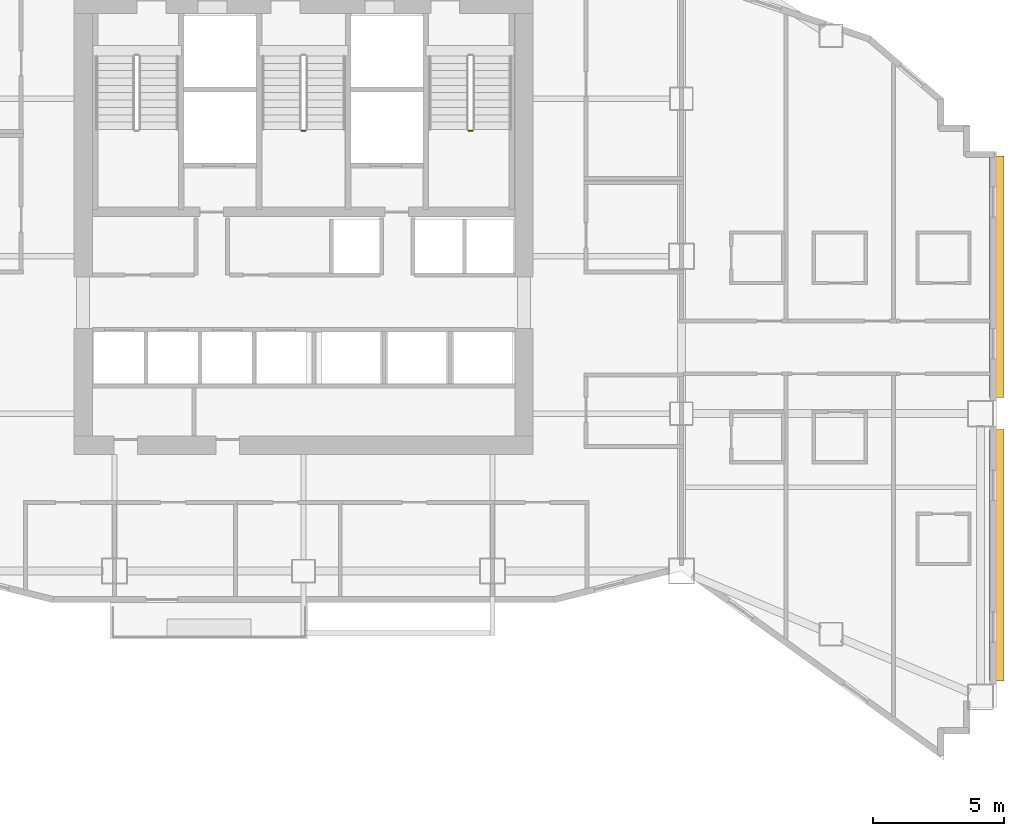
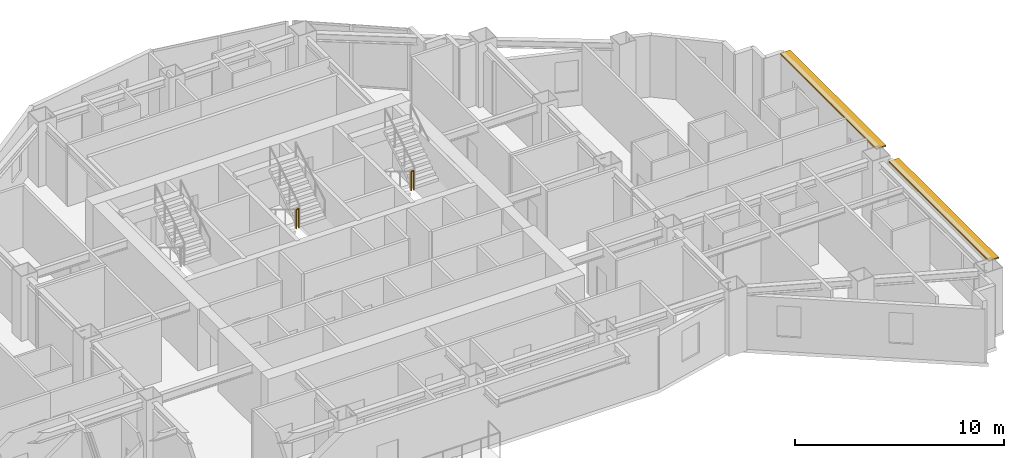
# One storey, part 15 of 16: 2 railings, 2 shading devices.
"""IFC4 building model written with IfcOpenShell, lengths in metres."""

from ifc_helpers import new_model, si_unit, direction, frame, origin, origin_2d, place, context, subcontext, project, spatial, rectangle, circle, extrude, material, layer, layer_set, type_object, element, save


model = new_model("IFC4")

# Units and contexts
model_context = context("Model", 3, precision=1e-05, world=origin(), true_north=direction((0.0, 1.0)))
body_context = subcontext(model_context, "Body", "Model", "MODEL_VIEW")
ifc_project = project(units=[si_unit("LENGTHUNIT", "METRE"), si_unit("AREAUNIT", "SQUARE_METRE"), si_unit("VOLUMEUNIT", "CUBIC_METRE"), si_unit("PLANEANGLEUNIT", "RADIAN"), si_unit("MASSUNIT", "GRAM", prefix="KILO")], contexts=[model_context])

# Site, building, storey
site_placement = place(None, origin())
site = spatial("IfcSite", under=ifc_project, at=site_placement, CompositionType="ELEMENT")
building_placement = place(site_placement, origin())
building = spatial("IfcBuilding", under=site, at=building_placement, Name="Haolan Belvedere Tower", CompositionType="ELEMENT")
storey_placement = place(building_placement, frame((0.0, 0.0, 125.0)))
storey = spatial("IfcBuildingStorey", under=building, at=storey_placement, Name="L31", CompositionType="ELEMENT", Elevation=125.0)

# Railings
ifc_material_1 = material(Name="Brushed stainless steel 304", Category="steel")
railing_type = type_object("IfcRailingType", Name="RL-STAIR-GRD-1150", PredefinedType="GUARDRAIL", material=ifc_material_1)
railing_1_placement = place(storey_placement, frame((38.330078125, 38.3798828125, 1.89990234375)))
element("IfcRailing", 1, at=railing_1_placement, inside=storey, type_object=railing_type, Name="L31 ST3 stair guard 2", PredefinedType="GUARDRAIL", context=body_context, shape_type="SweptSolid", body=[
    extrude(circle(Radius=0.02392578125, at=origin_2d()), frame((0.0, 0.0, 1.1259765625), z_axis=(1.0, 0.0, 0.0), x_axis=(0.0, 1.0, 0.0)), (0.0, 0.0, 1.0), 0.139892578125),
    extrude(circle(Radius=0.02099609375, at=origin_2d()), origin(), (0.0, 0.0, 1.0), 1.101806640625),
    extrude(circle(Radius=0.02099609375, at=origin_2d()), frame((0.139892578125, 0.0, 0.0)), (0.0, 0.0, 1.0), 1.101806640625),
])
railing_2_placement = place(storey_placement, frame((44.68994140625, 38.3798828125, 1.89990234375)))
element("IfcRailing", 2, at=railing_2_placement, inside=storey, type_object=railing_type, Name="L31 ST2 stair guard 2", PredefinedType="GUARDRAIL", context=body_context, shape_type="SweptSolid", body=[
    extrude(circle(Radius=0.02392578125, at=origin_2d()), frame((0.0, 0.0, 1.1259765625), z_axis=(1.0, 0.0, 0.0), x_axis=(0.0, 1.0, 0.0)), (0.0, 0.0, 1.0), 0.14013671875),
    extrude(circle(Radius=0.02099609375, at=origin_2d()), origin(), (0.0, 0.0, 1.0), 1.101806640625),
    extrude(circle(Radius=0.02099609375, at=origin_2d()), frame((0.14013671875, 0.0, 0.0)), (0.0, 0.0, 1.0), 1.101806640625),
])

# Shading devices
ifc_material_2 = material(Name="Anodised champagne-silver aluminium 6063-T6", Category="aluminium")
ifc_layer = layer(ifc_material_2, 0.080078125, Name="Anodised champagne-silver aluminium 6063-T6")
ifc_layer_set = layer_set([ifc_layer], Name="Anodised champagne-silver aluminium 6063-T6")
shading_device_type = type_object("IfcShadingDeviceType", Name="SHD-SUN-550", PredefinedType="USERDEFINED", material=ifc_layer_set)
shading_device_1_placement = place(storey_placement, frame((64.820068359375, 22.199951171875, 3.5), z_axis=(0.0, 0.0, 1.0), x_axis=(0.0, 1.0, 0.0)))
element("IfcShadingDevice", 3, at=shading_device_1_placement, inside=storey, type_object=shading_device_type, Name="L31 pale-metal horizontal SUNSHADE band 14.1", ObjectType="SUNSHADE", PredefinedType="USERDEFINED", context=body_context, shape_type="SweptSolid", body=[
    extrude(rectangle(XDim=9.575927734375, YDim=0.550048828125, at=origin_2d()), origin(), (0.0, 0.0, 1.0), 0.080078125),
])
shading_device_2_placement = place(storey_placement, frame((64.820068359375, 32.8134765625, 3.5), z_axis=(0.0, 0.0, 1.0), x_axis=(0.0, 1.0, 0.0)))
element("IfcShadingDevice", 4, at=shading_device_2_placement, inside=storey, type_object=shading_device_type, Name="L31 pale-metal horizontal SUNSHADE band 14.2", ObjectType="SUNSHADE", PredefinedType="USERDEFINED", context=body_context, shape_type="SweptSolid", body=[
    extrude(rectangle(XDim=9.202880859375, YDim=0.550048828125, at=origin_2d()), origin(), (0.0, 0.0, 1.0), 0.080078125),
])

save(model, "model.ifc")
